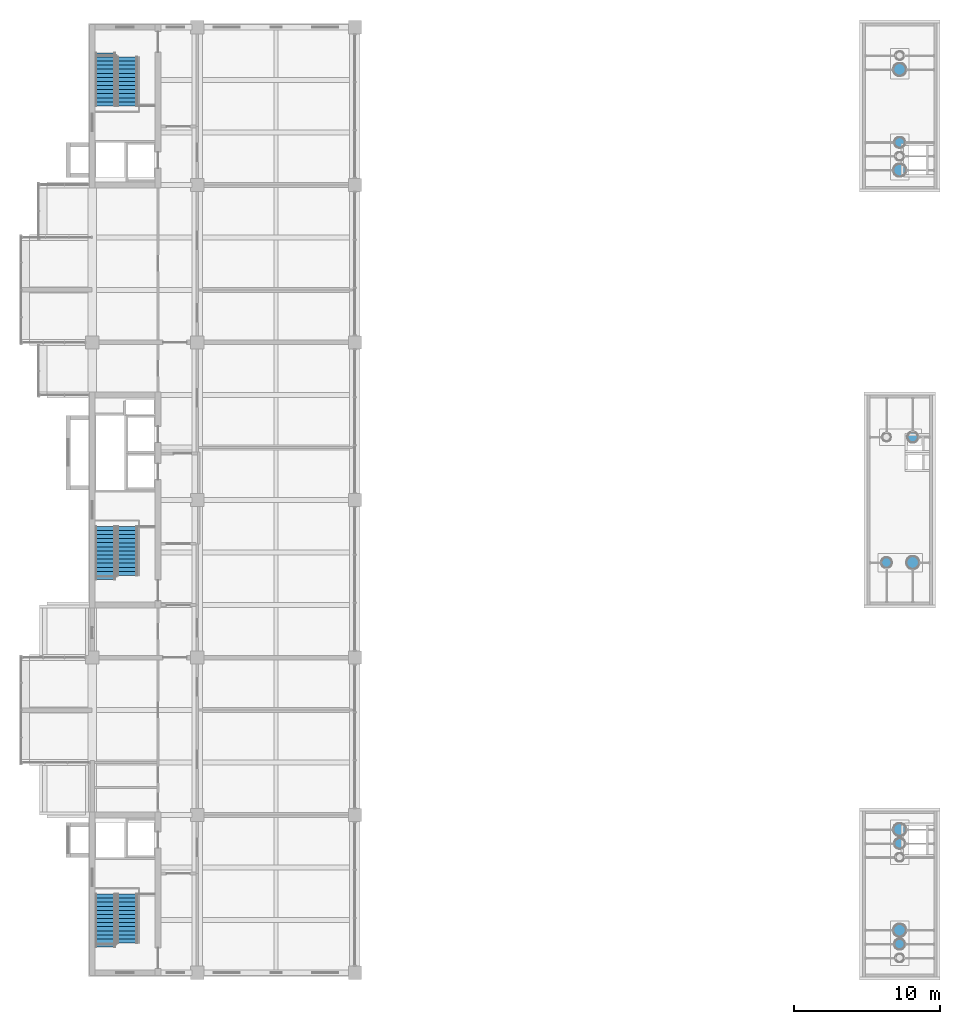
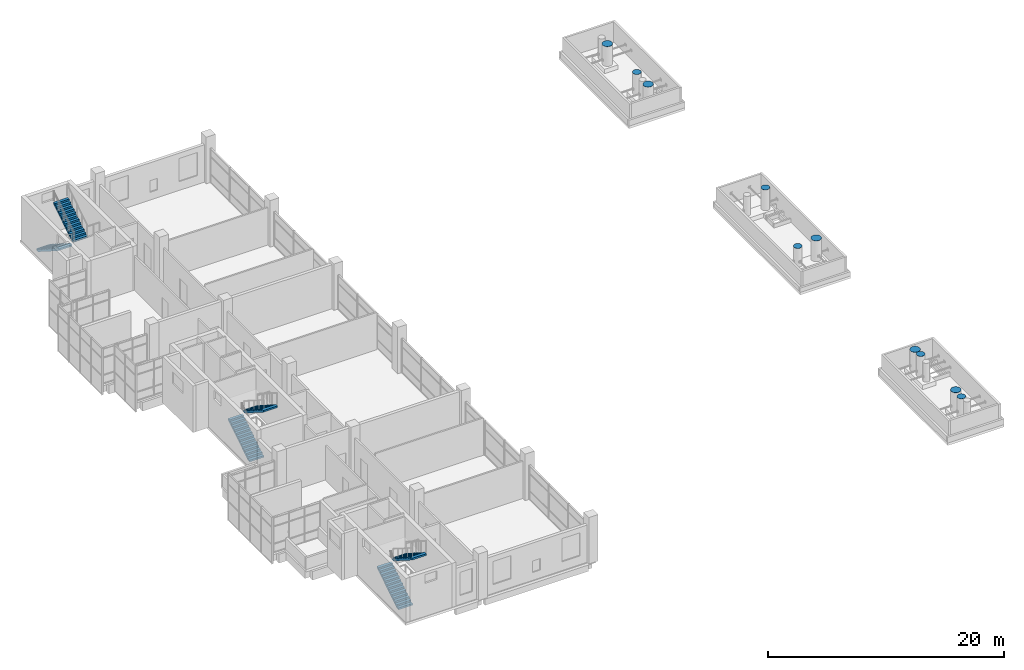
# One storey, part 18 of 22: 10 discrete accessories, 6 stair flights, 3 elements without a shape of their own.
"""IFC4 building model written with IfcOpenShell, lengths in metres."""

from ifc_helpers import new_model, si_unit, direction, frame, origin, place, context, subcontext, project, spatial, polyline, outline, extrude, material, type_object, element, aggregate, save


model = new_model("IFC4")

# Units and contexts
model_context = context("Model", 3, precision=1e-05, world=origin(), true_north=direction((0.0, 1.0)))
body_context = subcontext(model_context, "Body", "Model", "MODEL_VIEW")
ifc_project = project(units=[si_unit("LENGTHUNIT", "METRE"), si_unit("AREAUNIT", "SQUARE_METRE"), si_unit("VOLUMEUNIT", "CUBIC_METRE"), si_unit("PLANEANGLEUNIT", "RADIAN"), si_unit("MASSUNIT", "GRAM", prefix="KILO")], contexts=[model_context])

# Site, building, storey
site_placement = place(None, origin())
site = spatial("IfcSite", under=ifc_project, at=site_placement, CompositionType="ELEMENT")
building_placement = place(site_placement, origin())
building = spatial("IfcBuilding", under=site, at=building_placement, Name="Basin Gate Institute", CompositionType="ELEMENT")
storey_placement = place(building_placement, frame((0.0, 0.0, 51.0)))
storey = spatial("IfcBuildingStorey", under=building, at=storey_placement, Name="L10", CompositionType="ELEMENT", Elevation=51.0)

# Stair, stair flights
ifc_material_1 = material(Name="Concrete 40 MPa", Category="concrete")
stair_type = type_object("IfcStairType", Name="Stair ST", PredefinedType="HALF_TURN_STAIR", material=ifc_material_1)
stair_1_placement = place(storey_placement, origin())
stair_1 = element("IfcStair", 1, at=stair_1_placement, inside=storey, type_object=stair_type, material=ifc_material_1, Name="Special safe stair ST-WS L10", PredefinedType="HALF_TURN_STAIR")
ifc_material_2 = material(Name="Concrete 40 MPa", Category="concrete")
stair_flight_type = type_object("IfcStairFlightType", Name="Stair flight FL", PredefinedType="STRAIGHT", material=ifc_material_2)
stair_flight_1_placement = place(storey_placement, frame((62.10009765625, 36.85009765625, 0.0), z_axis=(0.0, 0.0, 1.0), x_axis=(0.0, 1.0, 0.0)))
stair_flight_1 = element("IfcStairFlight", 2, at=stair_flight_1_placement, type_object=stair_flight_type, material=ifc_material_2, Name="Stair flight ST-WS-F1 L10", NumberOfRisers=14, NumberOfTreads=13, PredefinedType="STRAIGHT", RiserHeight=0.177777778, TreadLength=0.28, context=body_context, shape_type="SweptSolid", body=[
    extrude(outline(polyline([(0.0, 0.0), (0.0, 0.177734375), (0.280029296875, 0.177734375), (0.280029296875, 0.35546875), (0.56005859375, 0.35546875), (0.56005859375, 0.533447265625), (0.840087890625, 0.533447265625), (0.840087890625, 0.711181640625), (1.1201171875, 0.711181640625), (1.1201171875, 0.888916015625), (1.39990234375, 0.888916015625), (1.39990234375, 1.066650390625), (1.679931640625, 1.066650390625), (1.679931640625, 1.244384765625), (1.9599609375, 1.244384765625), (1.9599609375, 1.422119140625), (2.239990234375, 1.422119140625), (2.239990234375, 1.60009765625), (2.52001953125, 1.60009765625), (2.52001953125, 1.77783203125), (2.800048828125, 1.77783203125), (2.800048828125, 1.95556640625), (3.080078125, 1.95556640625), (3.080078125, 2.13330078125), (3.360107421875, 2.13330078125), (3.360107421875, 2.31103515625), (3.639892578125, 2.31103515625), (3.639892578125, 2.48876953125), (3.639892578125, 2.133544921875), (0.27978515625, 0.0), (0.0, 0.0)])), frame((0.0, 0.699951171875, 0.0), z_axis=(0.0, -1.0, 0.0), x_axis=(1.0, 0.0, 0.0)), (0.0, 0.0, 1.0), 1.39990234375),
])
stair_flight_2_placement = place(storey_placement, frame((63.60009765625, 40.489990234375, 2.48876953125), z_axis=(0.0, 0.0, 1.0), x_axis=(0.0, -1.0, 0.0)))
stair_flight_2 = element("IfcStairFlight", 3, at=stair_flight_2_placement, type_object=stair_flight_type, material=ifc_material_2, Name="Stair flight ST-WS-F2 L10", NumberOfRisers=13, NumberOfTreads=12, PredefinedType="STRAIGHT", RiserHeight=0.177777778, TreadLength=0.28, context=body_context, shape_type="SweptSolid", body=[
    extrude(outline(polyline([(0.0, 0.0), (0.0, 0.177734375), (0.280029296875, 0.177734375), (0.280029296875, 0.35546875), (0.56005859375, 0.35546875), (0.56005859375, 0.533447265625), (0.840087890625, 0.533447265625), (0.840087890625, 0.711181640625), (1.1201171875, 0.711181640625), (1.1201171875, 0.888916015625), (1.39990234375, 0.888916015625), (1.39990234375, 1.066650390625), (1.679931640625, 1.066650390625), (1.679931640625, 1.244384765625), (1.9599609375, 1.244384765625), (1.9599609375, 1.422119140625), (2.239990234375, 1.422119140625), (2.239990234375, 1.60009765625), (2.52001953125, 1.60009765625), (2.52001953125, 1.77783203125), (2.800048828125, 1.77783203125), (2.800048828125, 1.95556640625), (3.080078125, 1.95556640625), (3.080078125, 2.13330078125), (3.360107421875, 2.13330078125), (3.360107421875, 2.31103515625), (3.360107421875, 1.955810546875), (0.27978515625, 0.0), (0.0, 0.0)])), frame((0.0, 0.699951171875, 0.0), z_axis=(0.0, -1.0, 0.0), x_axis=(1.0, 0.0, 0.0)), (0.0, 0.0, 1.0), 1.39990234375),
])
aggregate(stair_1, [stair_flight_1, stair_flight_2])

stair_2_placement = place(storey_placement, origin())
stair_2 = element("IfcStair", 4, at=stair_2_placement, inside=storey, type_object=stair_type, material=ifc_material_1, Name="Special safe stair ST-WM L10", PredefinedType="HALF_TURN_STAIR")
stair_flight_3_placement = place(storey_placement, frame((62.10009765625, 62.050048828125, 0.0), z_axis=(0.0, 0.0, 1.0), x_axis=(0.0, 1.0, 0.0)))
stair_flight_3 = element("IfcStairFlight", 5, at=stair_flight_3_placement, type_object=stair_flight_type, material=ifc_material_2, Name="Stair flight ST-WM-F1 L10", NumberOfRisers=14, NumberOfTreads=13, PredefinedType="STRAIGHT", RiserHeight=0.177777778, TreadLength=0.28, context=body_context, shape_type="SweptSolid", body=[
    extrude(outline(polyline([(0.0, 0.0), (0.0, 0.177734375), (0.280029296875, 0.177734375), (0.280029296875, 0.35546875), (0.56005859375, 0.35546875), (0.56005859375, 0.533447265625), (0.840087890625, 0.533447265625), (0.840087890625, 0.711181640625), (1.1201171875, 0.711181640625), (1.1201171875, 0.888916015625), (1.39990234375, 0.888916015625), (1.39990234375, 1.066650390625), (1.679931640625, 1.066650390625), (1.679931640625, 1.244384765625), (1.9599609375, 1.244384765625), (1.9599609375, 1.422119140625), (2.239990234375, 1.422119140625), (2.239990234375, 1.60009765625), (2.52001953125, 1.60009765625), (2.52001953125, 1.77783203125), (2.800048828125, 1.77783203125), (2.800048828125, 1.95556640625), (3.080078125, 1.95556640625), (3.080078125, 2.13330078125), (3.360107421875, 2.13330078125), (3.360107421875, 2.31103515625), (3.639892578125, 2.31103515625), (3.639892578125, 2.48876953125), (3.639892578125, 2.133544921875), (0.27978515625, 0.0), (0.0, 0.0)])), frame((0.0, 0.699951171875, 0.0), z_axis=(0.0, -1.0, 0.0), x_axis=(1.0, 0.0, 0.0)), (0.0, 0.0, 1.0), 1.39990234375),
])
stair_flight_4_placement = place(storey_placement, frame((63.60009765625, 65.68994140625, 2.48876953125), z_axis=(0.0, 0.0, 1.0), x_axis=(0.0, -1.0, 0.0)))
stair_flight_4 = element("IfcStairFlight", 6, at=stair_flight_4_placement, type_object=stair_flight_type, material=ifc_material_2, Name="Stair flight ST-WM-F2 L10", NumberOfRisers=13, NumberOfTreads=12, PredefinedType="STRAIGHT", RiserHeight=0.177777778, TreadLength=0.28, context=body_context, shape_type="SweptSolid", body=[
    extrude(outline(polyline([(0.0, 0.0), (0.0, 0.177734375), (0.280029296875, 0.177734375), (0.280029296875, 0.35546875), (0.56005859375, 0.35546875), (0.56005859375, 0.533447265625), (0.840087890625, 0.533447265625), (0.840087890625, 0.711181640625), (1.1201171875, 0.711181640625), (1.1201171875, 0.888916015625), (1.39990234375, 0.888916015625), (1.39990234375, 1.066650390625), (1.679931640625, 1.066650390625), (1.679931640625, 1.244384765625), (1.9599609375, 1.244384765625), (1.9599609375, 1.422119140625), (2.239990234375, 1.422119140625), (2.239990234375, 1.60009765625), (2.52001953125, 1.60009765625), (2.52001953125, 1.77783203125), (2.800048828125, 1.77783203125), (2.800048828125, 1.95556640625), (3.080078125, 1.95556640625), (3.080078125, 2.13330078125), (3.360107421875, 2.13330078125), (3.360107421875, 2.31103515625), (3.360107421875, 1.955810546875), (0.27978515625, 0.0), (0.0, 0.0)])), frame((0.0, 0.699951171875, 0.0), z_axis=(0.0, -1.0, 0.0), x_axis=(1.0, 0.0, 0.0)), (0.0, 0.0, 1.0), 1.39990234375),
])
aggregate(stair_2, [stair_flight_3, stair_flight_4])

stair_3_placement = place(storey_placement, origin())
stair_3 = element("IfcStair", 7, at=stair_3_placement, inside=storey, type_object=stair_type, material=ifc_material_1, Name="Special safe stair ST-WN L10", PredefinedType="HALF_TURN_STAIR")
stair_flight_5_placement = place(storey_placement, frame((62.10009765625, 98.14990234375, 0.0), z_axis=(0.0, 0.0, 1.0), x_axis=(0.0, -1.0, 0.0)))
stair_flight_5 = element("IfcStairFlight", 8, at=stair_flight_5_placement, type_object=stair_flight_type, material=ifc_material_2, Name="Stair flight ST-WN-F1 L10", NumberOfRisers=14, NumberOfTreads=13, PredefinedType="STRAIGHT", RiserHeight=0.177777778, TreadLength=0.28, context=body_context, shape_type="SweptSolid", body=[
    extrude(outline(polyline([(0.0, 0.0), (0.0, 0.177734375), (0.280029296875, 0.177734375), (0.280029296875, 0.35546875), (0.56005859375, 0.35546875), (0.56005859375, 0.533447265625), (0.840087890625, 0.533447265625), (0.840087890625, 0.711181640625), (1.1201171875, 0.711181640625), (1.1201171875, 0.888916015625), (1.39990234375, 0.888916015625), (1.39990234375, 1.066650390625), (1.679931640625, 1.066650390625), (1.679931640625, 1.244384765625), (1.9599609375, 1.244384765625), (1.9599609375, 1.422119140625), (2.239990234375, 1.422119140625), (2.239990234375, 1.60009765625), (2.52001953125, 1.60009765625), (2.52001953125, 1.77783203125), (2.800048828125, 1.77783203125), (2.800048828125, 1.95556640625), (3.080078125, 1.95556640625), (3.080078125, 2.13330078125), (3.360107421875, 2.13330078125), (3.360107421875, 2.31103515625), (3.639892578125, 2.31103515625), (3.639892578125, 2.48876953125), (3.639892578125, 2.133544921875), (0.27978515625, 0.0), (0.0, 0.0)])), frame((0.0, 0.699951171875, 0.0), z_axis=(0.0, -1.0, 0.0), x_axis=(1.0, 0.0, 0.0)), (0.0, 0.0, 1.0), 1.39990234375),
])
stair_flight_6_placement = place(storey_placement, frame((63.60009765625, 94.510009765625, 2.48876953125), z_axis=(0.0, 0.0, 1.0), x_axis=(0.0, 1.0, 0.0)))
stair_flight_6 = element("IfcStairFlight", 9, at=stair_flight_6_placement, type_object=stair_flight_type, material=ifc_material_2, Name="Stair flight ST-WN-F2 L10", NumberOfRisers=13, NumberOfTreads=12, PredefinedType="STRAIGHT", RiserHeight=0.177777778, TreadLength=0.28, context=body_context, shape_type="SweptSolid", body=[
    extrude(outline(polyline([(0.0, 0.0), (0.0, 0.177734375), (0.280029296875, 0.177734375), (0.280029296875, 0.35546875), (0.56005859375, 0.35546875), (0.56005859375, 0.533447265625), (0.840087890625, 0.533447265625), (0.840087890625, 0.711181640625), (1.1201171875, 0.711181640625), (1.1201171875, 0.888916015625), (1.39990234375, 0.888916015625), (1.39990234375, 1.066650390625), (1.679931640625, 1.066650390625), (1.679931640625, 1.244384765625), (1.9599609375, 1.244384765625), (1.9599609375, 1.422119140625), (2.239990234375, 1.422119140625), (2.239990234375, 1.60009765625), (2.52001953125, 1.60009765625), (2.52001953125, 1.77783203125), (2.800048828125, 1.77783203125), (2.800048828125, 1.95556640625), (3.080078125, 1.95556640625), (3.080078125, 2.13330078125), (3.360107421875, 2.13330078125), (3.360107421875, 2.31103515625), (3.360107421875, 1.955810546875), (0.27978515625, 0.0), (0.0, 0.0)])), frame((0.0, 0.699951171875, 0.0), z_axis=(0.0, -1.0, 0.0), x_axis=(1.0, 0.0, 0.0)), (0.0, 0.0, 1.0), 1.39990234375),
])
aggregate(stair_3, [stair_flight_5, stair_flight_6])

# Discrete accessories
ifc_material_3 = material(Name="Structural steel SN490", Category="steel")
discrete_accessory_type_1 = type_object("IfcDiscreteAccessoryType", Name="Exhaust pipe cap plate PC750", PredefinedType="BRACKET", material=ifc_material_3)
discrete_accessory_1_placement = place(storey_placement, frame((0.0, 0.0, 2.6298828125)))
element("IfcDiscreteAccessory", 10, at=discrete_accessory_1_placement, inside=storey, type_object=discrete_accessory_type_1, material=ifc_material_3, Name="Exhaust pipe EX2 EM 1 cap plate", PredefinedType="BRACKET", context=body_context, shape_type="SweptSolid", body=[
    extrude(outline(polyline([(116.02490234375, 63.199951171875), (116.017822265625, 63.273193359375), (115.99658203125, 63.343505859375), (115.9619140625, 63.408203125), (115.915283203125, 63.465087890625), (115.8583984375, 63.51171875), (115.79345703125, 63.54638671875), (115.72314453125, 63.56787109375), (115.64990234375, 63.574951171875), (115.576904296875, 63.56787109375), (115.506591796875, 63.54638671875), (115.441650390625, 63.51171875), (115.384765625, 63.465087890625), (115.338134765625, 63.408203125), (115.303466796875, 63.343505859375), (115.2822265625, 63.273193359375), (115.27490234375, 63.199951171875), (115.2822265625, 63.126708984375), (115.303466796875, 63.056396484375), (115.338134765625, 62.99169921875), (115.384765625, 62.934814453125), (115.441650390625, 62.88818359375), (115.506591796875, 62.853515625), (115.576904296875, 62.832275390625), (115.64990234375, 62.824951171875), (115.72314453125, 62.832275390625), (115.79345703125, 62.853515625), (115.8583984375, 62.88818359375), (115.915283203125, 62.934814453125), (115.9619140625, 62.99169921875), (115.99658203125, 63.056396484375), (116.017822265625, 63.126708984375), (116.02490234375, 63.199951171875)])), origin(), (0.0, 0.0, 1.0), 0.02001953125),
])
discrete_accessory_2_placement = place(storey_placement, frame((0.0, 0.0, 2.830078125)))
element("IfcDiscreteAccessory", 11, at=discrete_accessory_2_placement, inside=storey, type_object=discrete_accessory_type_1, material=ifc_material_3, Name="Exhaust pipe EX2 EM 4 cap plate", PredefinedType="BRACKET", context=body_context, shape_type="SweptSolid", body=[
    extrude(outline(polyline([(117.824951171875, 71.800048828125), (117.81787109375, 71.873291015625), (117.79638671875, 71.943603515625), (117.76171875, 72.00830078125), (117.715087890625, 72.065185546875), (117.658203125, 72.11181640625), (117.593505859375, 72.146484375), (117.523193359375, 72.167724609375), (117.449951171875, 72.175048828125), (117.376708984375, 72.167724609375), (117.306396484375, 72.146484375), (117.24169921875, 72.11181640625), (117.184814453125, 72.065185546875), (117.13818359375, 72.00830078125), (117.103515625, 71.943603515625), (117.082275390625, 71.873291015625), (117.074951171875, 71.800048828125), (117.082275390625, 71.726806640625), (117.103515625, 71.656494140625), (117.13818359375, 71.591796875), (117.184814453125, 71.534912109375), (117.24169921875, 71.48828125), (117.306396484375, 71.45361328125), (117.376708984375, 71.43212890625), (117.449951171875, 71.425048828125), (117.523193359375, 71.43212890625), (117.593505859375, 71.45361328125), (117.658203125, 71.48828125), (117.715087890625, 71.534912109375), (117.76171875, 71.591796875), (117.79638671875, 71.656494140625), (117.81787109375, 71.726806640625), (117.824951171875, 71.800048828125)])), origin(), (0.0, 0.0, 1.0), 0.02001953125),
])
discrete_accessory_3_placement = place(storey_placement, frame((0.0, 0.0, 2.830078125)))
element("IfcDiscreteAccessory", 12, at=discrete_accessory_3_placement, inside=storey, type_object=discrete_accessory_type_1, material=ifc_material_3, Name="Exhaust pipe EX2 EN 3 cap plate", PredefinedType="BRACKET", context=body_context, shape_type="SweptSolid", body=[
    extrude(outline(polyline([(116.925048828125, 92.0), (116.917724609375, 92.0732421875), (116.896484375, 92.1435546875), (116.86181640625, 92.208251953125), (116.815185546875, 92.26513671875), (116.75830078125, 92.311767578125), (116.693603515625, 92.346435546875), (116.623291015625, 92.367919921875), (116.550048828125, 92.375), (116.476806640625, 92.367919921875), (116.406494140625, 92.346435546875), (116.341796875, 92.311767578125), (116.284912109375, 92.26513671875), (116.23828125, 92.208251953125), (116.20361328125, 92.1435546875), (116.18212890625, 92.0732421875), (116.175048828125, 92.0), (116.18212890625, 91.9267578125), (116.20361328125, 91.8564453125), (116.23828125, 91.791748046875), (116.284912109375, 91.73486328125), (116.341796875, 91.688232421875), (116.406494140625, 91.653564453125), (116.476806640625, 91.632080078125), (116.550048828125, 91.625), (116.623291015625, 91.632080078125), (116.693603515625, 91.653564453125), (116.75830078125, 91.688232421875), (116.815185546875, 91.73486328125), (116.86181640625, 91.791748046875), (116.896484375, 91.8564453125), (116.917724609375, 91.9267578125), (116.925048828125, 92.0)])), origin(), (0.0, 0.0, 1.0), 0.02001953125),
])
discrete_accessory_4_placement = place(storey_placement, frame((0.0, 0.0, 2.6298828125)))
element("IfcDiscreteAccessory", 13, at=discrete_accessory_4_placement, inside=storey, type_object=discrete_accessory_type_1, material=ifc_material_3, Name="Exhaust pipe EX2 ES 2 cap plate", PredefinedType="BRACKET", context=body_context, shape_type="SweptSolid", body=[
    extrude(outline(polyline([(116.925048828125, 37.050048828125), (116.917724609375, 37.123291015625), (116.896484375, 37.193603515625), (116.86181640625, 37.25830078125), (116.815185546875, 37.315185546875), (116.75830078125, 37.36181640625), (116.693603515625, 37.396484375), (116.623291015625, 37.417724609375), (116.550048828125, 37.425048828125), (116.476806640625, 37.417724609375), (116.406494140625, 37.396484375), (116.341796875, 37.36181640625), (116.284912109375, 37.315185546875), (116.23828125, 37.25830078125), (116.20361328125, 37.193603515625), (116.18212890625, 37.123291015625), (116.175048828125, 37.050048828125), (116.18212890625, 36.976806640625), (116.20361328125, 36.906494140625), (116.23828125, 36.841796875), (116.284912109375, 36.784912109375), (116.341796875, 36.73828125), (116.406494140625, 36.70361328125), (116.476806640625, 36.68212890625), (116.550048828125, 36.675048828125), (116.623291015625, 36.68212890625), (116.693603515625, 36.70361328125), (116.75830078125, 36.73828125), (116.815185546875, 36.784912109375), (116.86181640625, 36.841796875), (116.896484375, 36.906494140625), (116.917724609375, 36.976806640625), (116.925048828125, 37.050048828125)])), origin(), (0.0, 0.0, 1.0), 0.02001953125),
])
discrete_accessory_5_placement = place(storey_placement, frame((0.0, 0.0, 2.830078125)))
element("IfcDiscreteAccessory", 14, at=discrete_accessory_5_placement, inside=storey, type_object=discrete_accessory_type_1, material=ifc_material_3, Name="Exhaust pipe EX2 ES 5 cap plate", PredefinedType="BRACKET", context=body_context, shape_type="SweptSolid", body=[
    extrude(outline(polyline([(116.925048828125, 43.949951171875), (116.917724609375, 44.023193359375), (116.896484375, 44.093505859375), (116.86181640625, 44.158203125), (116.815185546875, 44.215087890625), (116.75830078125, 44.26171875), (116.693603515625, 44.29638671875), (116.623291015625, 44.31787109375), (116.550048828125, 44.324951171875), (116.476806640625, 44.31787109375), (116.406494140625, 44.29638671875), (116.341796875, 44.26171875), (116.284912109375, 44.215087890625), (116.23828125, 44.158203125), (116.20361328125, 44.093505859375), (116.18212890625, 44.023193359375), (116.175048828125, 43.949951171875), (116.18212890625, 43.876708984375), (116.20361328125, 43.806396484375), (116.23828125, 43.74169921875), (116.284912109375, 43.684814453125), (116.341796875, 43.63818359375), (116.406494140625, 43.603515625), (116.476806640625, 43.582275390625), (116.550048828125, 43.574951171875), (116.623291015625, 43.582275390625), (116.693603515625, 43.603515625), (116.75830078125, 43.63818359375), (116.815185546875, 43.684814453125), (116.86181640625, 43.74169921875), (116.896484375, 43.806396484375), (116.917724609375, 43.876708984375), (116.925048828125, 43.949951171875)])), origin(), (0.0, 0.0, 1.0), 0.02001953125),
])
ifc_material_4 = material(Name="Structural steel SN490", Category="steel")
discrete_accessory_type_2 = type_object("IfcDiscreteAccessoryType", Name="Exhaust pipe cap plate PC900", PredefinedType="BRACKET", material=ifc_material_4)
discrete_accessory_6_placement = place(storey_placement, frame((0.0, 0.0, 2.830078125)))
element("IfcDiscreteAccessory", 15, at=discrete_accessory_6_placement, inside=storey, type_object=discrete_accessory_type_2, material=ifc_material_4, Name="Exhaust pipe EX3 EM 2 cap plate", PredefinedType="BRACKET", context=body_context, shape_type="SweptSolid", body=[
    extrude(outline(polyline([(117.89990234375, 63.199951171875), (117.891357421875, 63.287841796875), (117.86572265625, 63.372314453125), (117.82421875, 63.449951171875), (117.768310546875, 63.518310546875), (117.699951171875, 63.57421875), (117.622314453125, 63.61572265625), (117.537841796875, 63.641357421875), (117.449951171875, 63.64990234375), (117.3623046875, 63.641357421875), (117.27783203125, 63.61572265625), (117.199951171875, 63.57421875), (117.1318359375, 63.518310546875), (117.07568359375, 63.449951171875), (117.0341796875, 63.372314453125), (117.008544921875, 63.287841796875), (117.0, 63.199951171875), (117.008544921875, 63.1123046875), (117.0341796875, 63.02783203125), (117.07568359375, 62.949951171875), (117.1318359375, 62.8818359375), (117.199951171875, 62.82568359375), (117.27783203125, 62.7841796875), (117.3623046875, 62.758544921875), (117.449951171875, 62.75), (117.537841796875, 62.758544921875), (117.622314453125, 62.7841796875), (117.699951171875, 62.82568359375), (117.768310546875, 62.8818359375), (117.82421875, 62.949951171875), (117.86572265625, 63.02783203125), (117.891357421875, 63.1123046875), (117.89990234375, 63.199951171875)])), origin(), (0.0, 0.0, 1.0), 0.02001953125),
])
discrete_accessory_7_placement = place(storey_placement, frame((0.0, 0.0, 2.72998046875)))
element("IfcDiscreteAccessory", 16, at=discrete_accessory_7_placement, inside=storey, type_object=discrete_accessory_type_2, material=ifc_material_4, Name="Exhaust pipe EX3 EN 1 cap plate", PredefinedType="BRACKET", context=body_context, shape_type="SweptSolid", body=[
    extrude(outline(polyline([(117.0, 90.10009765625), (116.991455078125, 90.187744140625), (116.9658203125, 90.272216796875), (116.92431640625, 90.35009765625), (116.8681640625, 90.418212890625), (116.800048828125, 90.47412109375), (116.72216796875, 90.515625), (116.6376953125, 90.54150390625), (116.550048828125, 90.550048828125), (116.462158203125, 90.54150390625), (116.377685546875, 90.515625), (116.300048828125, 90.47412109375), (116.231689453125, 90.418212890625), (116.17578125, 90.35009765625), (116.13427734375, 90.272216796875), (116.108642578125, 90.187744140625), (116.10009765625, 90.10009765625), (116.108642578125, 90.01220703125), (116.13427734375, 89.927734375), (116.17578125, 89.85009765625), (116.231689453125, 89.78173828125), (116.300048828125, 89.725830078125), (116.377685546875, 89.684326171875), (116.462158203125, 89.65869140625), (116.550048828125, 89.64990234375), (116.6376953125, 89.65869140625), (116.72216796875, 89.684326171875), (116.800048828125, 89.725830078125), (116.8681640625, 89.78173828125), (116.92431640625, 89.85009765625), (116.9658203125, 89.927734375), (116.991455078125, 90.01220703125), (117.0, 90.10009765625)])), origin(), (0.0, 0.0, 1.0), 0.02001953125),
])
discrete_accessory_8_placement = place(storey_placement, frame((0.0, 0.0, 2.72998046875)))
element("IfcDiscreteAccessory", 17, at=discrete_accessory_8_placement, inside=storey, type_object=discrete_accessory_type_2, material=ifc_material_4, Name="Exhaust pipe EX3 EN 4 cap plate", PredefinedType="BRACKET", context=body_context, shape_type="SweptSolid", body=[
    extrude(outline(polyline([(117.0, 97.0), (116.991455078125, 97.087890625), (116.9658203125, 97.172119140625), (116.92431640625, 97.25), (116.8681640625, 97.318115234375), (116.800048828125, 97.374267578125), (116.72216796875, 97.415771484375), (116.6376953125, 97.44140625), (116.550048828125, 97.449951171875), (116.462158203125, 97.44140625), (116.377685546875, 97.415771484375), (116.300048828125, 97.374267578125), (116.231689453125, 97.318115234375), (116.17578125, 97.25), (116.13427734375, 97.172119140625), (116.108642578125, 97.087890625), (116.10009765625, 97.0), (116.108642578125, 96.912109375), (116.13427734375, 96.827880859375), (116.17578125, 96.75), (116.231689453125, 96.681884765625), (116.300048828125, 96.625732421875), (116.377685546875, 96.584228515625), (116.462158203125, 96.55859375), (116.550048828125, 96.550048828125), (116.6376953125, 96.55859375), (116.72216796875, 96.584228515625), (116.800048828125, 96.625732421875), (116.8681640625, 96.681884765625), (116.92431640625, 96.75), (116.9658203125, 96.827880859375), (116.991455078125, 96.912109375), (117.0, 97.0)])), origin(), (0.0, 0.0, 1.0), 0.02001953125),
])
discrete_accessory_9_placement = place(storey_placement, frame((0.0, 0.0, 2.72998046875)))
element("IfcDiscreteAccessory", 18, at=discrete_accessory_9_placement, inside=storey, type_object=discrete_accessory_type_2, material=ifc_material_4, Name="Exhaust pipe EX3 ES 3 cap plate", PredefinedType="BRACKET", context=body_context, shape_type="SweptSolid", body=[
    extrude(outline(polyline([(117.0, 38.0), (116.991455078125, 38.087890625), (116.9658203125, 38.172119140625), (116.92431640625, 38.25), (116.8681640625, 38.318115234375), (116.800048828125, 38.374267578125), (116.72216796875, 38.415771484375), (116.6376953125, 38.44140625), (116.550048828125, 38.449951171875), (116.462158203125, 38.44140625), (116.377685546875, 38.415771484375), (116.300048828125, 38.374267578125), (116.231689453125, 38.318115234375), (116.17578125, 38.25), (116.13427734375, 38.172119140625), (116.108642578125, 38.087890625), (116.10009765625, 38.0), (116.108642578125, 37.912109375), (116.13427734375, 37.827880859375), (116.17578125, 37.75), (116.231689453125, 37.681884765625), (116.300048828125, 37.625732421875), (116.377685546875, 37.584228515625), (116.462158203125, 37.55859375), (116.550048828125, 37.550048828125), (116.6376953125, 37.55859375), (116.72216796875, 37.584228515625), (116.800048828125, 37.625732421875), (116.8681640625, 37.681884765625), (116.92431640625, 37.75), (116.9658203125, 37.827880859375), (116.991455078125, 37.912109375), (117.0, 38.0)])), origin(), (0.0, 0.0, 1.0), 0.02001953125),
])
discrete_accessory_10_placement = place(storey_placement, frame((0.0, 0.0, 2.72998046875)))
element("IfcDiscreteAccessory", 19, at=discrete_accessory_10_placement, inside=storey, type_object=discrete_accessory_type_2, material=ifc_material_4, Name="Exhaust pipe EX3 ES 6 cap plate", PredefinedType="BRACKET", context=body_context, shape_type="SweptSolid", body=[
    extrude(outline(polyline([(117.0, 44.89990234375), (116.991455078125, 44.98779296875), (116.9658203125, 45.072265625), (116.92431640625, 45.14990234375), (116.8681640625, 45.21826171875), (116.800048828125, 45.274169921875), (116.72216796875, 45.315673828125), (116.6376953125, 45.34130859375), (116.550048828125, 45.35009765625), (116.462158203125, 45.34130859375), (116.377685546875, 45.315673828125), (116.300048828125, 45.274169921875), (116.231689453125, 45.21826171875), (116.17578125, 45.14990234375), (116.13427734375, 45.072265625), (116.108642578125, 44.98779296875), (116.10009765625, 44.89990234375), (116.108642578125, 44.812255859375), (116.13427734375, 44.727783203125), (116.17578125, 44.64990234375), (116.231689453125, 44.581787109375), (116.300048828125, 44.52587890625), (116.377685546875, 44.484375), (116.462158203125, 44.45849609375), (116.550048828125, 44.449951171875), (116.6376953125, 44.45849609375), (116.72216796875, 44.484375), (116.800048828125, 44.52587890625), (116.8681640625, 44.581787109375), (116.92431640625, 44.64990234375), (116.9658203125, 44.727783203125), (116.991455078125, 44.812255859375), (117.0, 44.89990234375)])), origin(), (0.0, 0.0, 1.0), 0.02001953125),
])

save(model, "model.ifc")
